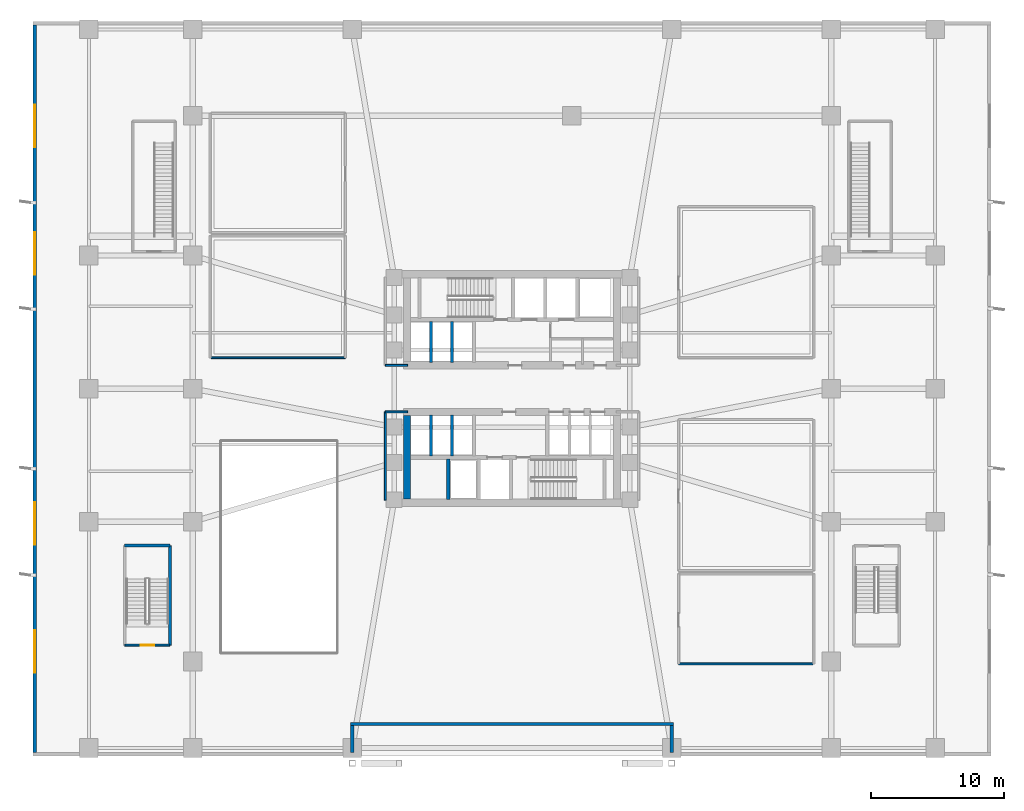
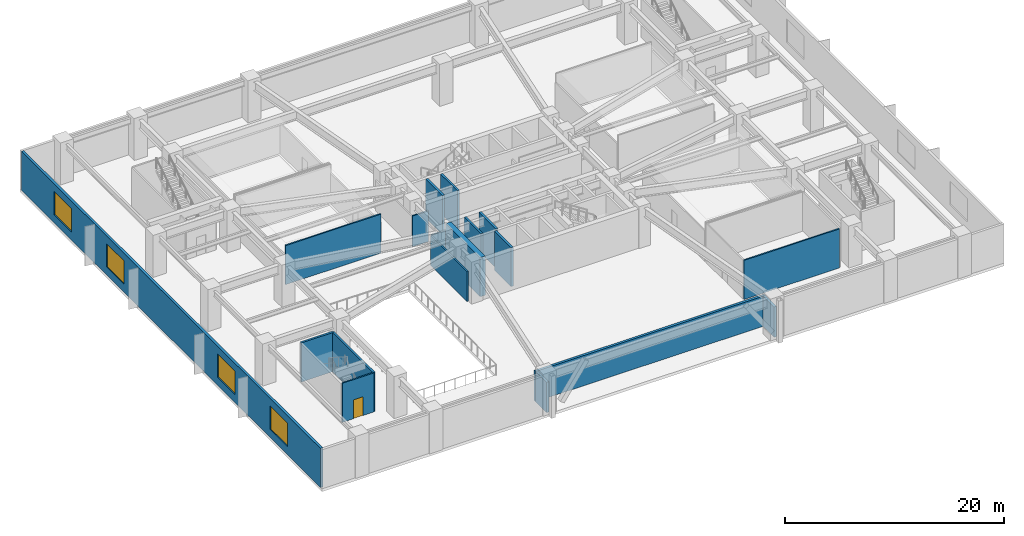
# One storey, part 4 of 12: 18 walls, 4 windows, 1 door, 5 openings.
"""IFC4 building model written with IfcOpenShell, lengths in metres."""

from ifc_helpers import new_model, si_unit, direction, frame, frame_2d, origin, place, context, subcontext, project, spatial, rectangle, extrude, material, layer, layer_set, type_object, element, fill, save


model = new_model("IFC4")

# Units and contexts
model_context = context("Model", 3, precision=1e-05, world=origin(), true_north=direction((0.0, 1.0)))
body_context = subcontext(model_context, "Body", "Model", "MODEL_VIEW")
ifc_project = project(units=[si_unit("LENGTHUNIT", "METRE"), si_unit("AREAUNIT", "SQUARE_METRE"), si_unit("VOLUMEUNIT", "CUBIC_METRE"), si_unit("PLANEANGLEUNIT", "RADIAN"), si_unit("MASSUNIT", "GRAM", prefix="KILO")], contexts=[model_context])

# Site, building, storey
site_placement = place(None, origin())
site = spatial("IfcSite", under=ifc_project, at=site_placement, CompositionType="ELEMENT")
building_placement = place(site_placement, origin())
building = spatial("IfcBuilding", under=site, at=building_placement, Name="Solmarez Civic Tower", CompositionType="ELEMENT")
storey_placement = place(building_placement, frame((0.0, 0.0, 5.39990234375)))
storey = spatial("IfcBuildingStorey", under=building, at=storey_placement, Name="L01", CompositionType="ELEMENT", Elevation=5.39990234375)

# Wall
ifc_material_1 = material(Name="Concrete C60/75", Category="concrete")
ifc_layer_1 = layer(ifc_material_1, 0.550048828125)
ifc_layer_set_1 = layer_set([ifc_layer_1], Name="Concrete C60/75")
wall_type_1 = type_object("IfcWallType", Name="WALL-CORE-550", PredefinedType="SHEAR", material=ifc_layer_set_1)
wall_1_placement = place(storey_placement, frame((-7.89501953125, -8.31005859375, 0.0), z_axis=(0.0, 0.0, 1.0), x_axis=(0.0, 1.0, 0.0)))
element("IfcWall", 1, at=wall_1_placement, inside=storey, type_object=wall_type_1, Name="L01 Split-Core Structural Wall SCW-W-L01", PredefinedType="SHEAR", context=body_context, shape_type="SweptSolid", body=[
    extrude(rectangle(XDim=6.28515625, YDim=0.550048828125, at=frame_2d((3.142578125, 0.0))), origin(), (0.0, 0.0, 1.0), 4.360107421875),
])

# Wall, openings, windows
ifc_material_2 = material(Name="Precast concrete C40/50", Category="concrete")
ifc_layer_2 = layer(ifc_material_2, 0.260009765625)
ifc_layer_set_2 = layer_set([ifc_layer_2], Name="Precast concrete C40/50")
wall_type_2 = type_object("IfcWallType", Name="WALL-EXT-260", PredefinedType="SOLIDWALL", material=ifc_layer_set_2)
wall_2_placement = place(storey_placement, frame((-35.8701171875, -27.340087890625, 0.0), z_axis=(0.0, 0.0, 1.0), x_axis=(0.0, 1.0, 0.0)))
wall_2 = element("IfcWall", 2, at=wall_2_placement, inside=storey, type_object=wall_type_2, Name="L01 West Exterior Precast Wall", PredefinedType="SOLIDWALL", context=body_context, shape_type="SweptSolid", body=[
    extrude(rectangle(XDim=54.68017578125, YDim=0.260009765625, at=frame_2d((27.340087890625, 0.0))), origin(), (0.0, 0.0, 1.0), 4.360107421875),
])
opening_1_placement = place(wall_2_placement, frame((6.0, 0.0, 0.89990234375)))
opening_1 = element("IfcOpeningElement", 3, at=opening_1_placement, cuts=wall_2, Name="Opening W-16", PredefinedType="OPENING", context=body_context, shape_type="SweptSolid", body=[
    extrude(rectangle(XDim=3.199951171875, YDim=2.60009765625, at=frame_2d((1.60009765625, 1.300048828125))), frame((0.0, 0.139892578125, 0.0), z_axis=(0.0, -1.0, 0.0), x_axis=(1.0, 0.0, 0.0)), (0.0, 0.0, 1.0), 0.280029296875),
])
opening_2_placement = place(wall_2_placement, frame((15.60009765625, 0.0, 0.89990234375)))
opening_2 = element("IfcOpeningElement", 4, at=opening_2_placement, cuts=wall_2, Name="Opening W-16", PredefinedType="OPENING", context=body_context, shape_type="SweptSolid", body=[
    extrude(rectangle(XDim=3.199951171875, YDim=2.60009765625, at=frame_2d((1.60009765625, 1.300048828125))), frame((0.0, 0.139892578125, 0.0), z_axis=(0.0, -1.0, 0.0), x_axis=(1.0, 0.0, 0.0)), (0.0, 0.0, 1.0), 0.280029296875),
])
opening_3_placement = place(wall_2_placement, frame((35.8798828125, 0.0, 0.89990234375)))
opening_3 = element("IfcOpeningElement", 5, at=opening_3_placement, cuts=wall_2, Name="Opening W-16", PredefinedType="OPENING", context=body_context, shape_type="SweptSolid", body=[
    extrude(rectangle(XDim=3.199951171875, YDim=2.60009765625, at=frame_2d((1.60009765625, 1.300048828125))), frame((0.0, 0.139892578125, 0.0), z_axis=(0.0, -1.0, 0.0), x_axis=(1.0, 0.0, 0.0)), (0.0, 0.0, 1.0), 0.280029296875),
])
opening_4_placement = place(wall_2_placement, frame((45.47998046875, 0.0, 0.89990234375)))
opening_4 = element("IfcOpeningElement", 6, at=opening_4_placement, cuts=wall_2, Name="Opening W-16", PredefinedType="OPENING", context=body_context, shape_type="SweptSolid", body=[
    extrude(rectangle(XDim=3.199951171875, YDim=2.60009765625, at=frame_2d((1.60009765625, 1.300048828125))), frame((0.0, 0.139892578125, 0.0), z_axis=(0.0, -1.0, 0.0), x_axis=(1.0, 0.0, 0.0)), (0.0, 0.0, 1.0), 0.280029296875),
])
ifc_material_3 = material(Name="Solar Control Bronze-Tinted Insulating Glass", Category="glass")
window_type = type_object("IfcWindowType", Name="WIN-3200X2600", PartitioningType="SINGLE_PANEL", PredefinedType="WINDOW", material=ifc_material_3)
window_1_placement = place(opening_1_placement, origin())
window_1 = element("IfcWindow", 7, at=window_1_placement, inside=storey, type_object=window_type, Name="L01 Podium Facade Window 1", OverallHeight=2.60009765625, OverallWidth=3.199951171875, PartitioningType="SINGLE_PANEL", PredefinedType="WINDOW", context=body_context, shape_type="SweptSolid", body=[
    extrude(rectangle(XDim=3.199951171875, YDim=2.60009765625, at=frame_2d((1.60009765625, 1.300048828125))), frame((0.0, 0.030029296875, 0.0), z_axis=(0.0, -1.0, 0.0), x_axis=(1.0, 0.0, 0.0)), (0.0, 0.0, 1.0), 0.06005859375),
])
fill(opening_1, window_1)
window_2_placement = place(opening_2_placement, origin())
window_2 = element("IfcWindow", 8, at=window_2_placement, inside=storey, type_object=window_type, Name="L01 Podium Facade Window 2", OverallHeight=2.60009765625, OverallWidth=3.199951171875, PartitioningType="SINGLE_PANEL", PredefinedType="WINDOW", context=body_context, shape_type="SweptSolid", body=[
    extrude(rectangle(XDim=3.199951171875, YDim=2.60009765625, at=frame_2d((1.60009765625, 1.300048828125))), frame((0.0, 0.030029296875, 0.0), z_axis=(0.0, -1.0, 0.0), x_axis=(1.0, 0.0, 0.0)), (0.0, 0.0, 1.0), 0.06005859375),
])
fill(opening_2, window_2)
window_3_placement = place(opening_3_placement, origin())
window_3 = element("IfcWindow", 9, at=window_3_placement, inside=storey, type_object=window_type, Name="L01 Podium Facade Window 3", OverallHeight=2.60009765625, OverallWidth=3.199951171875, PartitioningType="SINGLE_PANEL", PredefinedType="WINDOW", context=body_context, shape_type="SweptSolid", body=[
    extrude(rectangle(XDim=3.199951171875, YDim=2.60009765625, at=frame_2d((1.60009765625, 1.300048828125))), frame((0.0, 0.030029296875, 0.0), z_axis=(0.0, -1.0, 0.0), x_axis=(1.0, 0.0, 0.0)), (0.0, 0.0, 1.0), 0.06005859375),
])
fill(opening_3, window_3)
window_4_placement = place(opening_4_placement, origin())
window_4 = element("IfcWindow", 10, at=window_4_placement, inside=storey, type_object=window_type, Name="L01 Podium Facade Window 4", OverallHeight=2.60009765625, OverallWidth=3.199951171875, PartitioningType="SINGLE_PANEL", PredefinedType="WINDOW", context=body_context, shape_type="SweptSolid", body=[
    extrude(rectangle(XDim=3.199951171875, YDim=2.60009765625, at=frame_2d((1.60009765625, 1.300048828125))), frame((0.0, 0.030029296875, 0.0), z_axis=(0.0, -1.0, 0.0), x_axis=(1.0, 0.0, 0.0)), (0.0, 0.0, 1.0), 0.06005859375),
])
fill(opening_4, window_4)

# Walls
wall_3_placement = place(storey_placement, frame((12.0, -27.340087890625, 0.0), z_axis=(0.0, 0.0, 1.0), x_axis=(0.0, 1.0, 0.0)))
element("IfcWall", 11, at=wall_3_placement, inside=storey, type_object=wall_type_2, Name="L01 South Arch Podium Wall EW-AE-L01", PredefinedType="SOLIDWALL", context=body_context, shape_type="SweptSolid", body=[
    extrude(rectangle(XDim=2.010009765625, YDim=0.260009765625, at=frame_2d((1.0048828125, 0.0))), origin(), (0.0, 0.0, 1.0), 3.3701171875),
])
wall_4_placement = place(storey_placement, frame((12.1298828125, -25.199951171875, 0.0), z_axis=(0.0, 0.0, 1.0), x_axis=(-1.0, 0.0, 0.0)))
element("IfcWall", 12, at=wall_4_placement, inside=storey, type_object=wall_type_2, Name="L01 South Arch Podium Wall EW-ARCH-L01", PredefinedType="SOLIDWALL", context=body_context, shape_type="SweptSolid", body=[
    extrude(rectangle(XDim=24.259765625, YDim=0.260009765625, at=frame_2d((12.1298828125, 0.0))), origin(), (0.0, 0.0, 1.0), 3.3701171875),
])
wall_5_placement = place(storey_placement, frame((-12.0, -25.330078125, 0.0), z_axis=(0.0, 0.0, 1.0), x_axis=(0.0, -1.0, 0.0)))
element("IfcWall", 13, at=wall_5_placement, inside=storey, type_object=wall_type_2, Name="L01 South Arch Podium Wall EW-AW-L01", PredefinedType="SOLIDWALL", context=body_context, shape_type="SweptSolid", body=[
    extrude(rectangle(XDim=2.010009765625, YDim=0.260009765625, at=frame_2d((1.0048828125, 0.0))), origin(), (0.0, 0.0, 1.0), 3.3701171875),
])

# Wall, opening, door
ifc_material_4 = material(Name="Gypsum Board Acoustic Steel-Stud Partition", Category="steel")
ifc_layer_3 = layer(ifc_material_4, 0.14990234375)
ifc_layer_set_3 = layer_set([ifc_layer_3], Name="Gypsum Board Acoustic Steel-Stud Partition")
wall_type_3 = type_object("IfcWallType", Name="WALL-INT-FIRE-150", PredefinedType="PARTITIONING", material=ifc_layer_set_3)
wall_6_placement = place(storey_placement, frame((-29.080078125, -19.280029296875, 0.0), z_axis=(0.0, 0.0, 1.0), x_axis=(1.0, 0.0, 0.0)))
wall_6 = element("IfcWall", 14, at=wall_6_placement, inside=storey, type_object=wall_type_3, Name="L01 Podium Exit Stair STP1 Wall", PredefinedType="PARTITIONING", context=body_context, shape_type="SweptSolid", body=[
    extrude(rectangle(XDim=3.360107421875, YDim=0.14990234375, at=frame_2d((1.68017578125, 0.0))), origin(), (0.0, 0.0, 1.0), 4.360107421875),
])
opening_5_placement = place(wall_6_placement, frame((1.179931640625, 0.0, 0.0)))
opening_5 = element("IfcOpeningElement", 15, at=opening_5_placement, cuts=wall_6, Name="Opening D-05", PredefinedType="OPENING", context=body_context, shape_type="SweptSolid", body=[
    extrude(rectangle(XDim=1.0, YDim=2.10009765625, at=frame_2d((0.5, 1.050048828125))), frame((0.0, 0.0849609375, 0.0), z_axis=(0.0, -1.0, 0.0), x_axis=(1.0, 0.0, 0.0)), (0.0, 0.0, 1.0), 0.169921875),
])
ifc_material_5 = material(Name="Fire-Rated Stairwell Exit Door", Category="wood")
door_type = type_object("IfcDoorType", Name="DOOR-FD90-1000", OperationType="NOTDEFINED", PredefinedType="DOOR", material=ifc_material_5)
door_placement = place(opening_5_placement, origin())
door = element("IfcDoor", 16, at=door_placement, inside=storey, type_object=door_type, Name="L01 Podium Exit Stair STP1 Door", OperationType="SINGLE_SWING_RIGHT", OverallHeight=2.10009765625, OverallWidth=1.0, PredefinedType="DOOR", context=body_context, shape_type="SweptSolid", body=[
    extrude(rectangle(XDim=1.0, YDim=2.10009765625, at=frame_2d((0.5, 1.050048828125))), frame((0.0, 0.02490234375, 0.0), z_axis=(0.0, -1.0, 0.0), x_axis=(1.0, 0.0, 0.0)), (0.0, 0.0, 1.0), 0.050048828125),
])
fill(opening_5, door)

# Walls
wall_7_placement = place(storey_placement, frame((-7.85009765625, 1.75, 0.0), z_axis=(0.0, 0.0, 1.0), x_axis=(-1.0, 0.0, 0.0)))
element("IfcWall", 17, at=wall_7_placement, inside=storey, type_object=wall_type_3, Name="L01 Interior Partition CHW-L01-WN3", PredefinedType="PARTITIONING", context=body_context, shape_type="SweptSolid", body=[
    extrude(rectangle(XDim=1.669921875, YDim=0.14990234375, at=frame_2d((0.8349609375, 0.0))), origin(), (0.0, 0.0, 1.0), 3.425048828125),
])
wall_8_placement = place(storey_placement, frame((-9.52001953125, -8.3798828125, 0.0), z_axis=(0.0, 0.0, 1.0), x_axis=(0.0, 1.0, 0.0)))
element("IfcWall", 18, at=wall_8_placement, inside=storey, type_object=wall_type_3, Name="L01 Interior Partition CHW-L01-WS1", PredefinedType="PARTITIONING", context=body_context, shape_type="SweptSolid", body=[
    extrude(rectangle(XDim=6.6298828125, YDim=0.14990234375, at=frame_2d((3.31494140625, 0.0))), origin(), (0.0, 0.0, 1.0), 3.3701171875),
])
wall_9_placement = place(storey_placement, frame((-7.85009765625, -1.75, 0.0), z_axis=(0.0, 0.0, 1.0), x_axis=(-1.0, 0.0, 0.0)))
element("IfcWall", 19, at=wall_9_placement, inside=storey, type_object=wall_type_3, Name="L01 Interior Partition CHW-L01-WS3", PredefinedType="PARTITIONING", context=body_context, shape_type="SweptSolid", body=[
    extrude(rectangle(XDim=1.669921875, YDim=0.14990234375, at=frame_2d((0.8349609375, 0.0))), origin(), (0.0, 0.0, 1.0), 3.425048828125),
])
ifc_layer_4 = layer(ifc_material_4, 0.14501953125)
ifc_layer_set_4 = layer_set([ifc_layer_4], Name="Gypsum Board Acoustic Steel-Stud Partition")
wall_type_4 = type_object("IfcWallType", Name="WALL-INT-PART-150", PredefinedType="PARTITIONING", material=ifc_layer_set_4)
for number, where, z_axis, x_axis, name in (
    (20, (-22.60009765625, 2.320068359375, 0.0), (0.0, 0.0, 1.0), (1.0, 0.0, 0.0), "L01 Interior Partition PT-L0X-L01-NW1-S"),
    (21, (12.52001953125, -20.679931640625, 0.0), (0.0, 0.0, 1.0), (1.0, 0.0, 0.0), "L01 Interior Partition PT-L0X-L01-WC1-S"),
):
    element("IfcWall", number, at=place(storey_placement, frame(where, z_axis=z_axis, x_axis=x_axis)), inside=storey, type_object=wall_type_4, Name=name, PredefinedType="PARTITIONING", context=body_context, shape_type="SweptSolid", body=[
        extrude(rectangle(XDim=10.080078125, YDim=0.14501953125, at=frame_2d((5.0400390625, 0.0))), origin(), (0.0, 0.0, 1.0), 4.360107421875),
    ])
ifc_material_6 = material(Name="Concrete C50/60", Category="concrete")
ifc_layer_5 = layer(ifc_material_6, 0.300048828125)
ifc_layer_set_5 = layer_set([ifc_layer_5], Name="Concrete C50/60")
wall_type_5 = type_object("IfcWallType", Name="WALL-STR-300", PredefinedType="SOLIDWALL", material=ifc_layer_set_5)
wall_10_placement = place(storey_placement, frame((-4.800048828125, -8.340087890625, 0.0), z_axis=(0.0, 0.0, 1.0), x_axis=(0.0, 1.0, 0.0)))
element("IfcWall", 22, at=wall_10_placement, inside=storey, type_object=wall_type_5, Name="L01 Split-Core Structural Wall SHW-S3-L01", PredefinedType="SOLIDWALL", context=body_context, shape_type="SweptSolid", body=[
    extrude(rectangle(XDim=3.0400390625, YDim=0.25, at=frame_2d((1.52001953125, 0.0))), origin(), (0.0, 0.0, 1.0), 4.360107421875),
])
for number, where, z_axis, x_axis, name in (
    (23, (-6.080078125, 1.97998046875, 0.0), (0.0, 0.0, 1.0), (0.0, 1.0, 0.0), "L01 Split-Core Structural Wall SHW-PLH-L01-1"),
    (24, (-4.52001953125, 1.97998046875, 0.0), (0.0, 0.0, 1.0), (0.0, 1.0, 0.0), "L01 Split-Core Structural Wall SHW-PLH-L01-2"),
    (25, (-6.080078125, -5.050048828125, 0.0), (0.0, 0.0, 1.0), (0.0, 1.0, 0.0), "L01 Split-Core Structural Wall SHW-PLM-L01-1"),
    (26, (-4.52001953125, -5.050048828125, 0.0), (0.0, 0.0, 1.0), (0.0, 1.0, 0.0), "L01 Split-Core Structural Wall SHW-PLM-L01-2"),
):
    element("IfcWall", number, at=place(storey_placement, frame(where, z_axis=z_axis, x_axis=x_axis)), inside=storey, type_object=wall_type_5, Name=name, PredefinedType="SOLIDWALL", context=body_context, shape_type="SweptSolid", body=[
        extrude(rectangle(XDim=3.070068359375, YDim=0.219970703125, at=frame_2d((1.53515625, 0.0))), origin(), (0.0, 0.0, 1.0), 4.360107421875),
    ])
wall_11_placement = place(storey_placement, frame((-25.699951171875, -19.300048828125, 0.0), z_axis=(0.0, 0.0, 1.0), x_axis=(0.0, 1.0, 0.0)))
element("IfcWall", 27, at=wall_11_placement, inside=storey, type_object=wall_type_5, Name="L01 Podium Stair Structural Wall STP1-E", PredefinedType="SOLIDWALL", context=body_context, shape_type="SweptSolid", body=[
    extrude(rectangle(XDim=7.5, YDim=0.219970703125, at=frame_2d((3.75, 0.0))), origin(), (0.0, 0.0, 1.0), 4.360107421875),
])
wall_12_placement = place(storey_placement, frame((-29.10009765625, -11.800048828125, 0.0), z_axis=(0.0, 0.0, 1.0), x_axis=(1.0, 0.0, 0.0)))
element("IfcWall", 28, at=wall_12_placement, inside=storey, type_object=wall_type_5, Name="L01 Podium Stair Structural Wall STP1-N", PredefinedType="SOLIDWALL", context=body_context, shape_type="SweptSolid", body=[
    extrude(rectangle(XDim=3.400146484375, YDim=0.219970703125, at=frame_2d((1.7001953125, 0.0))), origin(), (0.0, 0.0, 1.0), 4.360107421875),
])

save(model, "model.ifc")
